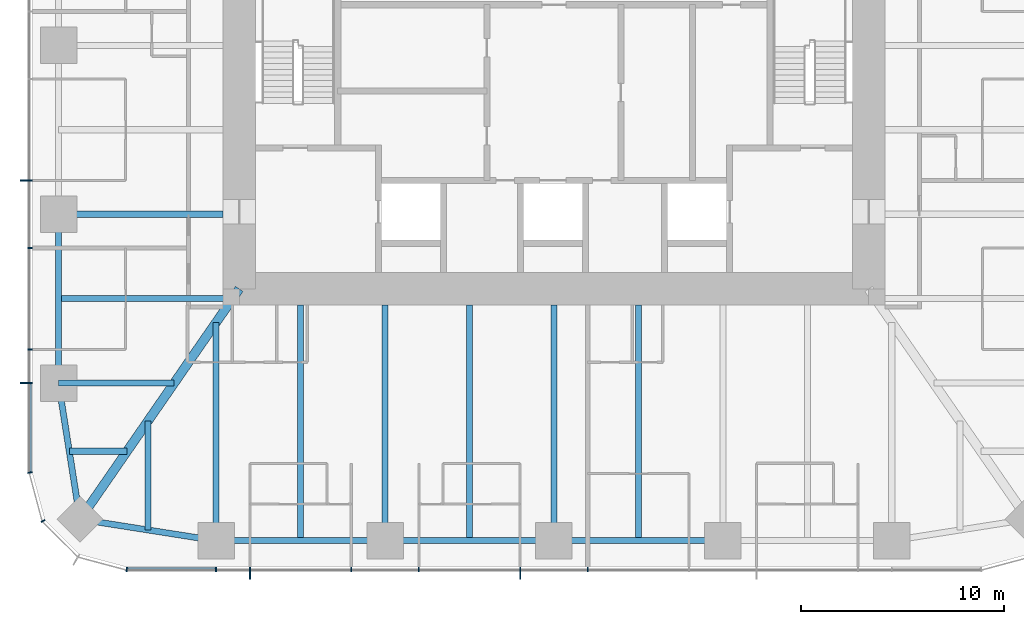
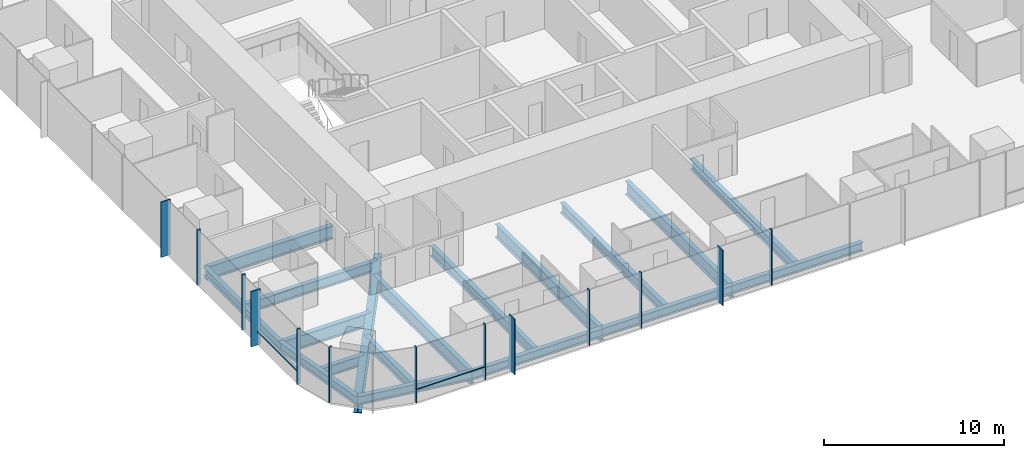
# One storey, part 2 of 13: 18 beams, 15 members, 3 elements without a shape of their own.
"""IFC4 building model written with IfcOpenShell, lengths in metres."""

from ifc_helpers import new_model, si_unit, direction, frame, origin, origin_2d, place, context, subcontext, project, spatial, rectangle, i_section, extrude, material, material_profile, profile_set, type_object, element, aggregate, save


model = new_model("IFC4")

# Units and contexts
model_context = context("Model", 3, precision=1e-05, world=origin(), true_north=direction((0.0, 1.0)))
body_context = subcontext(model_context, "Body", "Model", "MODEL_VIEW")
ifc_project = project(units=[si_unit("LENGTHUNIT", "METRE"), si_unit("AREAUNIT", "SQUARE_METRE"), si_unit("VOLUMEUNIT", "CUBIC_METRE"), si_unit("PLANEANGLEUNIT", "RADIAN"), si_unit("MASSUNIT", "GRAM", prefix="KILO")], contexts=[model_context])

# Site, building, storey
site_placement = place(None, origin())
site = spatial("IfcSite", under=ifc_project, at=site_placement, CompositionType="ELEMENT")
building_placement = place(site_placement, origin())
building = spatial("IfcBuilding", under=site, at=building_placement, Name="Khuree Lantern Residences", CompositionType="ELEMENT")
storey_placement = place(building_placement, frame((0.0, 0.0, 255.75)))
storey = spatial("IfcBuildingStorey", under=building, at=storey_placement, Name="L64", CompositionType="ELEMENT", Elevation=255.75)

# Beams
ifc_material_1 = material(Name="Steel S355", Category="steel")
ifc_material_profile_1 = material_profile(ifc_material_1, i_section(OverallWidth=0.300048828125, OverallDepth=0.68994140625, WebThickness=0.014404296875, FlangeThickness=0.027099609375, FilletRadius=0.027099609375, at=origin_2d()), Name="HE 700 A")
ifc_profile_set_1 = profile_set([ifc_material_profile_1], Name="Steel S355")
beam_type_1 = type_object("IfcBeamType", Name="B-34 SECONDARY BEAM HE 700 A", PredefinedType="BEAM", material=ifc_profile_set_1)
for number, where, z_axis, x_axis, name in (
    (1, (4.159912109375, -24.39990234375, -0.594970703125), (0.0, 1.0, 0.0), (-1.0, 0.0, 0.0), "Secondary beam S3"),
    (2, (-4.159912109375, -24.39990234375, -0.594970703125), (0.0, 1.0, 0.0), (-1.0, 0.0, 0.0), "Secondary beam S4"),
    (3, (-12.47998046875, -24.39990234375, -0.594970703125), (0.0, 1.0, 0.0), (-1.0, 0.0, 0.0), "Secondary beam S5"),
):
    element("IfcBeam", number, at=place(storey_placement, frame(where, z_axis=z_axis, x_axis=x_axis)), inside=storey, type_object=beam_type_1, Name=name, PredefinedType="BEAM", context=body_context, shape_type="SweptSolid", body=[
        extrude(i_section(OverallWidth=0.300048828125, OverallDepth=0.68994140625, WebThickness=0.014404296875, FlangeThickness=0.027099609375, FilletRadius=0.027099609375, at=origin_2d()), origin(), (0.0, 0.0, 1.0), 11.599853515625),
    ])
beam_1_placement = place(storey_placement, frame((-19.992919921875, -23.872802734375, -0.594970703125), z_axis=(0.0, 1.0, 0.0), x_axis=(-1.0, 0.0, 0.0)))
element("IfcBeam", 4, at=beam_1_placement, inside=storey, type_object=beam_type_1, Name="Secondary beam S6", PredefinedType="BEAM", context=body_context, shape_type="SweptSolid", body=[
    extrude(i_section(OverallWidth=0.300048828125, OverallDepth=0.68994140625, WebThickness=0.014404296875, FlangeThickness=0.027099609375, FilletRadius=0.027099609375, at=origin_2d()), origin(), (0.0, 0.0, 1.0), 5.375732421875),
])
beam_2_placement = place(storey_placement, frame((-23.872802734375, -19.992919921875, -0.594970703125), z_axis=(1.0, 0.0, 0.0), x_axis=(0.0, 1.0, 0.0)))
element("IfcBeam", 5, at=beam_2_placement, inside=storey, type_object=beam_type_1, Name="Secondary beam W1", PredefinedType="BEAM", context=body_context, shape_type="SweptSolid", body=[
    extrude(i_section(OverallWidth=0.300048828125, OverallDepth=0.68994140625, WebThickness=0.014404296875, FlangeThickness=0.027099609375, FilletRadius=0.027099609375, at=origin_2d()), origin(), (0.0, 0.0, 1.0), 2.845703125),
])
beam_3_placement = place(storey_placement, frame((-24.39990234375, -12.47998046875, -0.594970703125), z_axis=(1.0, 0.0, 0.0), x_axis=(0.0, 1.0, 0.0)))
element("IfcBeam", 6, at=beam_3_placement, inside=storey, type_object=beam_type_1, Name="Secondary beam W2", PredefinedType="BEAM", context=body_context, shape_type="SweptSolid", body=[
    extrude(i_section(OverallWidth=0.300048828125, OverallDepth=0.68994140625, WebThickness=0.014404296875, FlangeThickness=0.027099609375, FilletRadius=0.027099609375, at=origin_2d()), origin(), (0.0, 0.0, 1.0), 8.56787109375),
])
ifc_material_profile_2 = material_profile(ifc_material_1, i_section(OverallWidth=0.300048828125, OverallDepth=0.590087890625, WebThickness=0.012939453125, FlangeThickness=0.02490234375, FilletRadius=0.027099609375, at=origin_2d()), Name="HE 600 A")
ifc_profile_set_2 = profile_set([ifc_material_profile_2], Name="Steel S355")
beam_type_2 = type_object("IfcBeamType", Name="E-34 SPANDREL BEAM HE 600 A", PredefinedType="SPANDREL", material=ifc_profile_set_2)
for number, where, z_axis, x_axis, name in (
    (7, (8.320068359375, -24.39990234375, -0.544921875), (-1.0, 0.0, 0.0), (0.0, -1.0, 0.0), "Spandrel beam S3"),
    (8, (0.0, -24.39990234375, -0.544921875), (-1.0, 0.0, 0.0), (0.0, -1.0, 0.0), "Spandrel beam S4"),
):
    element("IfcBeam", number, at=place(storey_placement, frame(where, z_axis=z_axis, x_axis=x_axis)), inside=storey, type_object=beam_type_2, Name=name, PredefinedType="SPANDREL", context=body_context, shape_type="SweptSolid", body=[
        extrude(i_section(OverallWidth=0.300048828125, OverallDepth=0.590087890625, WebThickness=0.012939453125, FlangeThickness=0.02490234375, FilletRadius=0.027099609375, at=origin_2d()), origin(), (0.0, 0.0, 1.0), 8.320068359375),
    ])
beam_4_placement = place(storey_placement, frame((-8.320068359375, -24.39990234375, -0.544921875), z_axis=(-1.0, 0.0, 0.0), x_axis=(0.0, -1.0, 0.0)))
element("IfcBeam", 9, at=beam_4_placement, inside=storey, type_object=beam_type_2, Name="Spandrel beam S5", PredefinedType="SPANDREL", context=body_context, shape_type="SweptSolid", body=[
    extrude(i_section(OverallWidth=0.300048828125, OverallDepth=0.590087890625, WebThickness=0.012939453125, FlangeThickness=0.02490234375, FilletRadius=0.027099609375, at=origin_2d()), origin(), (0.0, 0.0, 1.0), 8.31982421875),
])
for number, where, z_axis, x_axis, name in (
    (10, (-16.639892578125, -24.39990234375, -0.544921875), (-0.98786743189, 0.155299507442, 0.0), (-0.155299507442, -0.98786743189, 0.0), "Spandrel beam S6"),
    (11, (-23.345703125, -23.345703125, -0.544921875), (-0.155299507442, 0.98786743189, 0.0), (-0.98786743189, -0.155299507442, 0.0), "Spandrel beam W1"),
):
    element("IfcBeam", number, at=place(storey_placement, frame(where, z_axis=z_axis, x_axis=x_axis)), inside=storey, type_object=beam_type_2, Name=name, PredefinedType="SPANDREL", context=body_context, shape_type="SweptSolid", body=[
        extrude(i_section(OverallWidth=0.300048828125, OverallDepth=0.590087890625, WebThickness=0.012939453125, FlangeThickness=0.02490234375, FilletRadius=0.027099609375, at=origin_2d()), origin(), (0.0, 0.0, 1.0), 6.7880859375),
    ])
beam_5_placement = place(storey_placement, frame((-24.39990234375, -16.639892578125, -0.544921875), z_axis=(0.0, 1.0, 0.0), x_axis=(-1.0, 0.0, 0.0)))
element("IfcBeam", 12, at=beam_5_placement, inside=storey, type_object=beam_type_2, Name="Spandrel beam W2", PredefinedType="SPANDREL", context=body_context, shape_type="SweptSolid", body=[
    extrude(i_section(OverallWidth=0.300048828125, OverallDepth=0.590087890625, WebThickness=0.012939453125, FlangeThickness=0.02490234375, FilletRadius=0.027099609375, at=origin_2d()), origin(), (0.0, 0.0, 1.0), 8.31982421875),
])

# Curtain wall, members
ifc_material_2 = material(Name="Bronze anodised aluminium", Category="aluminium")
curtain_wall_type_1 = type_object("IfcCurtainWallType", Name="CW-T1 TOWER FACE CURTAIN WALL", PredefinedType="USERDEFINED", material=ifc_material_2)
curtain_wall_1_placement = place(storey_placement, origin())
curtain_wall_1 = element("IfcCurtainWall", 13, at=curtain_wall_1_placement, inside=storey, type_object=curtain_wall_type_1, Name="L64 WEST FACE CURTAIN WALL", ObjectType="Stick-built curtain wall", PredefinedType="USERDEFINED")
ifc_material_profile_3 = material_profile(ifc_material_2, rectangle(XDim=0.06494140625, YDim=0.60009765625, at=origin_2d()), Name="F1 65X600")
ifc_profile_set_3 = profile_set([ifc_material_profile_3], Name="Bronze anodised aluminium")
member_type_1 = type_object("IfcMemberType", Name="F1 BRONZE FIN MULLION TOWER 65X600", PredefinedType="MULLION", material=ifc_profile_set_3)
member_1_placement = place(storey_placement, frame((-26.0, -6.656005859375, 0.0), z_axis=(0.0, 0.0, 1.0), x_axis=(0.0, -1.0, 0.0)))
member_1 = element("IfcMember", 14, at=member_1_placement, type_object=member_type_1, Name="L64 WEST FACE FIN MULLION 39", PredefinedType="MULLION", context=body_context, shape_type="SweptSolid", body=[
    extrude(rectangle(XDim=0.06494140625, YDim=0.60009765625, at=origin_2d()), origin(), (0.0, 0.0, 1.0), 3.75),
])
member_2_placement = place(storey_placement, frame((-26.0, -16.639892578125, 0.0), z_axis=(0.0, 0.0, 1.0), x_axis=(0.0, -1.0, 0.0)))
member_2 = element("IfcMember", 15, at=member_2_placement, type_object=member_type_1, Name="L64 WEST FACE FIN MULLION 42", PredefinedType="MULLION", context=body_context, shape_type="SweptSolid", body=[
    extrude(rectangle(XDim=0.06494140625, YDim=0.60009765625, at=origin_2d()), origin(), (0.0, 0.0, 1.0), 3.75),
])

curtain_wall_2_placement = place(storey_placement, origin())
curtain_wall_2 = element("IfcCurtainWall", 16, at=curtain_wall_2_placement, inside=storey, type_object=curtain_wall_type_1, Name="L64 SOUTH FACE CURTAIN WALL", ObjectType="Stick-built curtain wall", PredefinedType="USERDEFINED")
member_3_placement = place(storey_placement, frame((-14.97607421875, -26.0, 0.0), z_axis=(0.0, 0.0, 1.0), x_axis=(1.0, 0.0, 0.0)))
member_3 = element("IfcMember", 17, at=member_3_placement, type_object=member_type_1, Name="L64 SOUTH FACE FIN MULLION 48", PredefinedType="MULLION", context=body_context, shape_type="SweptSolid", body=[
    extrude(rectangle(XDim=0.06494140625, YDim=0.60009765625, at=origin_2d()), origin(), (0.0, 0.0, 1.0), 3.75),
])
member_4_placement = place(storey_placement, frame((-1.6640625, -26.0, 0.0), z_axis=(0.0, 0.0, 1.0), x_axis=(1.0, 0.0, 0.0)))
member_4 = element("IfcMember", 18, at=member_4_placement, type_object=member_type_1, Name="L64 SOUTH FACE FIN MULLION 51", PredefinedType="MULLION", context=body_context, shape_type="SweptSolid", body=[
    extrude(rectangle(XDim=0.06494140625, YDim=0.60009765625, at=origin_2d()), origin(), (0.0, 0.0, 1.0), 3.75),
])

# Beams
ifc_material_profile_4 = material_profile(ifc_material_1, i_section(OverallWidth=0.300048828125, OverallDepth=0.89990234375, WebThickness=0.0185546875, FlangeThickness=0.034912109375, FilletRadius=0.030029296875, at=origin_2d()), Name="HE 900 B")
ifc_profile_set_4 = profile_set([ifc_material_profile_4], Name="Steel S355")
beam_type_3 = type_object("IfcBeamType", Name="G-34 GIRDER HE 900 B", PredefinedType="BEAM", material=ifc_profile_set_4)
for number, where, z_axis, x_axis, name in (
    (19, (0.0, -24.39990234375, -0.699951171875), (0.0, 1.0, 0.0), (-1.0, 0.0, 0.0), "Girder S3"),
    (20, (-8.320068359375, -24.39990234375, -0.699951171875), (0.0, 1.0, 0.0), (-1.0, 0.0, 0.0), "Girder S4"),
):
    element("IfcBeam", number, at=place(storey_placement, frame(where, z_axis=z_axis, x_axis=x_axis)), inside=storey, type_object=beam_type_3, Name=name, PredefinedType="BEAM", context=body_context, shape_type="SweptSolid", body=[
        extrude(i_section(OverallWidth=0.300048828125, OverallDepth=0.89990234375, WebThickness=0.0185546875, FlangeThickness=0.034912109375, FilletRadius=0.030029296875, at=origin_2d()), origin(), (0.0, 0.0, 1.0), 11.599853515625),
    ])
beam_6_placement = place(storey_placement, frame((-16.639892578125, -24.39990234375, -0.699951171875), z_axis=(0.0, 1.0, 0.0), x_axis=(-1.0, 0.0, 0.0)))
element("IfcBeam", 21, at=beam_6_placement, inside=storey, type_object=beam_type_3, Name="Girder S5", PredefinedType="BEAM", context=body_context, shape_type="SweptSolid", body=[
    extrude(i_section(OverallWidth=0.300048828125, OverallDepth=0.89990234375, WebThickness=0.0185546875, FlangeThickness=0.034912109375, FilletRadius=0.030029296875, at=origin_2d()), origin(), (0.0, 0.0, 1.0), 10.751220703125),
])
beam_7_placement = place(storey_placement, frame((-24.39990234375, -16.639892578125, -0.699951171875), z_axis=(1.0, 0.0, 0.0), x_axis=(0.0, 1.0, 0.0)))
element("IfcBeam", 22, at=beam_7_placement, inside=storey, type_object=beam_type_3, Name="Girder W1", PredefinedType="BEAM", context=body_context, shape_type="SweptSolid", body=[
    extrude(i_section(OverallWidth=0.300048828125, OverallDepth=0.89990234375, WebThickness=0.0185546875, FlangeThickness=0.034912109375, FilletRadius=0.030029296875, at=origin_2d()), origin(), (0.0, 0.0, 1.0), 5.69140625),
])
beam_8_placement = place(storey_placement, frame((-24.39990234375, -8.320068359375, -0.699951171875), z_axis=(1.0, 0.0, 0.0), x_axis=(0.0, 1.0, 0.0)))
element("IfcBeam", 23, at=beam_8_placement, inside=storey, type_object=beam_type_3, Name="Girder W2", PredefinedType="BEAM", context=body_context, shape_type="SweptSolid", body=[
    extrude(i_section(OverallWidth=0.300048828125, OverallDepth=0.89990234375, WebThickness=0.0185546875, FlangeThickness=0.034912109375, FilletRadius=0.030029296875, at=origin_2d()), origin(), (0.0, 0.0, 1.0), 8.099853515625),
])
ifc_material_profile_5 = material_profile(ifc_material_1, i_section(OverallWidth=0.449951171875, OverallDepth=1.199951171875, WebThickness=0.02490234375, FlangeThickness=0.044921875, at=origin_2d()), Name="WELDED I 1200X450X25X45")
ifc_profile_set_5 = profile_set([ifc_material_profile_5], Name="Steel S355")
beam_type_4 = type_object("IfcBeamType", Name="GD-34 CORNER GIRDER WELDED I 1200X450X25X45", PredefinedType="BEAM", material=ifc_profile_set_5)
beam_9_placement = place(storey_placement, frame((-23.345703125, -23.345703125, -0.85009765625), z_axis=(0.56876813501, 0.822497907959, 0.0), x_axis=(-0.822497907959, 0.56876813501, 0.0)))
element("IfcBeam", 24, at=beam_9_placement, inside=storey, type_object=beam_type_4, Name="Corner girder SW", PredefinedType="BEAM", context=body_context, shape_type="SweptSolid", body=[
    extrude(i_section(OverallWidth=0.449951171875, OverallDepth=1.199951171875, WebThickness=0.02490234375, FlangeThickness=0.044921875, at=origin_2d()), origin(), (0.0, 0.0, 1.0), 13.794189453125),
])

# Member
ifc_material_profile_6 = material_profile(ifc_material_2, rectangle(XDim=0.06494140625, YDim=0.219970703125, at=origin_2d()), Name="M1 65X220")
ifc_profile_set_6 = profile_set([ifc_material_profile_6], Name="Bronze anodised aluminium")
member_type_2 = type_object("IfcMemberType", Name="M1 BRONZE MULLION TOWER 65X220", PredefinedType="MULLION", material=ifc_profile_set_6)
member_5_placement = place(storey_placement, frame((-25.81005859375, -9.98388671875, 0.0), z_axis=(0.0, 0.0, 1.0), x_axis=(0.0, -1.0, 0.0)))
member_5 = element("IfcMember", 25, at=member_5_placement, type_object=member_type_2, Name="L64 WEST FACE MULLION 40", PredefinedType="MULLION", context=body_context, shape_type="SweptSolid", body=[
    extrude(rectangle(XDim=0.06494140625, YDim=0.219970703125, at=origin_2d()), origin(), (0.0, 0.0, 1.0), 3.75),
])

member_6_placement = place(storey_placement, frame((-25.81005859375, -14.97607421875, 0.0), z_axis=(0.0, 0.0, 1.0), x_axis=(0.0, -1.0, 0.0)))
member_6 = element("IfcMember", 26, at=member_6_placement, type_object=member_type_2, Name="L64 WEST FACE MULLION 41", PredefinedType="MULLION", context=body_context, shape_type="SweptSolid", body=[
    extrude(rectangle(XDim=0.06494140625, YDim=0.219970703125, at=origin_2d()), origin(), (0.0, 0.0, 1.0), 3.75),
])

# Curtain wall, members
curtain_wall_type_2 = type_object("IfcCurtainWallType", Name="CW-T2 TOWER CORNER CURTAIN WALL", PredefinedType="USERDEFINED", material=ifc_material_2)
curtain_wall_3_placement = place(storey_placement, origin())
curtain_wall_3 = element("IfcCurtainWall", 27, at=curtain_wall_3_placement, inside=storey, type_object=curtain_wall_type_2, Name="L64 SOUTH-WEST CORNER CURTAIN WALL", ObjectType="Faceted corner curtain wall", PredefinedType="USERDEFINED")
member_7_placement = place(storey_placement, frame((-25.811767578125, -21.044921875, 0.0), z_axis=(0.0, 0.0, 1.0), x_axis=(0.130526180298, -0.991444862943, 0.0)))
member_7 = element("IfcMember", 28, at=member_7_placement, type_object=member_type_2, Name="L64 SOUTH-WEST CORNER MULLION 43", PredefinedType="MULLION", context=body_context, shape_type="SweptSolid", body=[
    extrude(rectangle(XDim=0.06494140625, YDim=0.219970703125, at=origin_2d()), origin(), (0.0, 0.0, 1.0), 3.75),
])
member_8_placement = place(storey_placement, frame((-25.17236328125, -23.429931640625, 0.0), z_axis=(0.0, 0.0, 1.0), x_axis=(0.499999989586, -0.866025409797, 0.0)))
member_8 = element("IfcMember", 29, at=member_8_placement, type_object=member_type_2, Name="L64 SOUTH-WEST CORNER MULLION 44", PredefinedType="MULLION", context=body_context, shape_type="SweptSolid", body=[
    extrude(rectangle(XDim=0.06494140625, YDim=0.219970703125, at=origin_2d()), origin(), (0.0, 0.0, 1.0), 3.75),
])
aggregate(curtain_wall_3, [member_7, member_8])

# Member
member_9_placement = place(storey_placement, frame((-21.044921875, -25.811767578125, 0.0), z_axis=(0.0, 0.0, 1.0), x_axis=(0.991444862943, -0.130526180298, 0.0)))
member_9 = element("IfcMember", 30, at=member_9_placement, type_object=member_type_2, Name="L64 SOUTH FACE MULLION 46", PredefinedType="MULLION", context=body_context, shape_type="SweptSolid", body=[
    extrude(rectangle(XDim=0.06494140625, YDim=0.219970703125, at=origin_2d()), origin(), (0.0, 0.0, 1.0), 3.75),
])

member_10_placement = place(storey_placement, frame((-16.639892578125, -25.81005859375, 0.0), z_axis=(0.0, 0.0, 1.0), x_axis=(1.0, 0.0, 0.0)))
member_10 = element("IfcMember", 31, at=member_10_placement, type_object=member_type_2, Name="L64 SOUTH FACE MULLION 47", PredefinedType="MULLION", context=body_context, shape_type="SweptSolid", body=[
    extrude(rectangle(XDim=0.06494140625, YDim=0.219970703125, at=origin_2d()), origin(), (0.0, 0.0, 1.0), 3.75),
])

member_11_placement = place(storey_placement, frame((-9.98388671875, -25.81005859375, 0.0), z_axis=(0.0, 0.0, 1.0), x_axis=(1.0, 0.0, 0.0)))
member_11 = element("IfcMember", 32, at=member_11_placement, type_object=member_type_2, Name="L64 SOUTH FACE MULLION 49", PredefinedType="MULLION", context=body_context, shape_type="SweptSolid", body=[
    extrude(rectangle(XDim=0.06494140625, YDim=0.219970703125, at=origin_2d()), origin(), (0.0, 0.0, 1.0), 3.75),
])

member_12_placement = place(storey_placement, frame((-6.656005859375, -25.81005859375, 0.0), z_axis=(0.0, 0.0, 1.0), x_axis=(1.0, 0.0, 0.0)))
member_12 = element("IfcMember", 33, at=member_12_placement, type_object=member_type_2, Name="L64 SOUTH FACE MULLION 50", PredefinedType="MULLION", context=body_context, shape_type="SweptSolid", body=[
    extrude(rectangle(XDim=0.06494140625, YDim=0.219970703125, at=origin_2d()), origin(), (0.0, 0.0, 1.0), 3.75),
])

member_13_placement = place(storey_placement, frame((1.6640625, -25.81005859375, 0.0), z_axis=(0.0, 0.0, 1.0), x_axis=(1.0, 0.0, 0.0)))
member_13 = element("IfcMember", 34, at=member_13_placement, type_object=member_type_2, Name="L64 SOUTH FACE MULLION 52", PredefinedType="MULLION", context=body_context, shape_type="SweptSolid", body=[
    extrude(rectangle(XDim=0.06494140625, YDim=0.219970703125, at=origin_2d()), origin(), (0.0, 0.0, 1.0), 3.75),
])

ifc_material_profile_7 = material_profile(ifc_material_2, rectangle(XDim=0.179931640625, YDim=0.06494140625, at=origin_2d()), Name="T1 180X65")
ifc_profile_set_7 = profile_set([ifc_material_profile_7], Name="Bronze anodised aluminium")
member_type_3 = type_object("IfcMemberType", Name="TRANSOM T1 TOWER 180X65", PredefinedType="USERDEFINED", material=ifc_profile_set_7)
member_14_placement = place(storey_placement, frame((-25.820068359375, -16.672607421875, 0.89990234375), z_axis=(0.0, -1.0, 0.0), x_axis=(1.0, 0.0, 0.0)))
member_14 = element("IfcMember", 35, at=member_14_placement, type_object=member_type_3, Name="L64 WEST FACE TRANSOM 42.1", ObjectType="Transom", PredefinedType="USERDEFINED", context=body_context, shape_type="SweptSolid", body=[
    extrude(rectangle(XDim=0.179931640625, YDim=0.06494140625, at=origin_2d()), origin(), (0.0, 0.0, 1.0), 4.328857421875),
])

aggregate(curtain_wall_1, [member_1, member_5, member_6, member_2, member_14])

member_15_placement = place(storey_placement, frame((-21.00146484375, -25.820068359375, 0.89990234375), z_axis=(1.0, 0.0, 0.0), x_axis=(0.0, 1.0, 0.0)))
member_15 = element("IfcMember", 36, at=member_15_placement, type_object=member_type_3, Name="L64 SOUTH FACE TRANSOM 46.1", ObjectType="Transom", PredefinedType="USERDEFINED", context=body_context, shape_type="SweptSolid", body=[
    extrude(rectangle(XDim=0.179931640625, YDim=0.06494140625, at=origin_2d()), origin(), (0.0, 0.0, 1.0), 4.328857421875),
])

aggregate(curtain_wall_2, [member_9, member_10, member_3, member_11, member_12, member_4, member_13, member_15])

save(model, "model.ifc")
